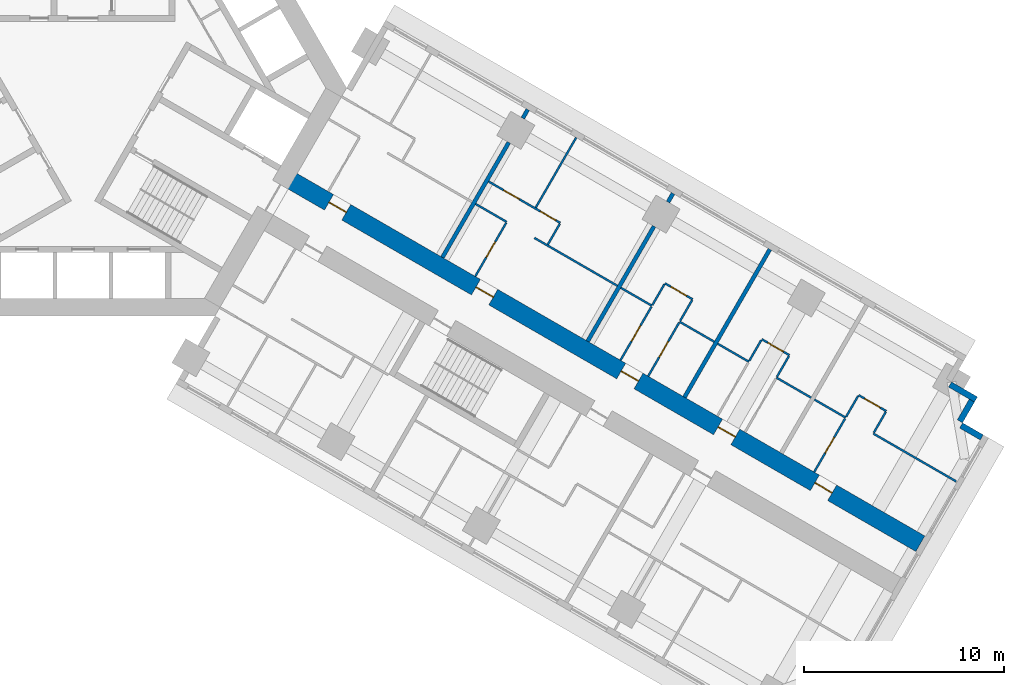
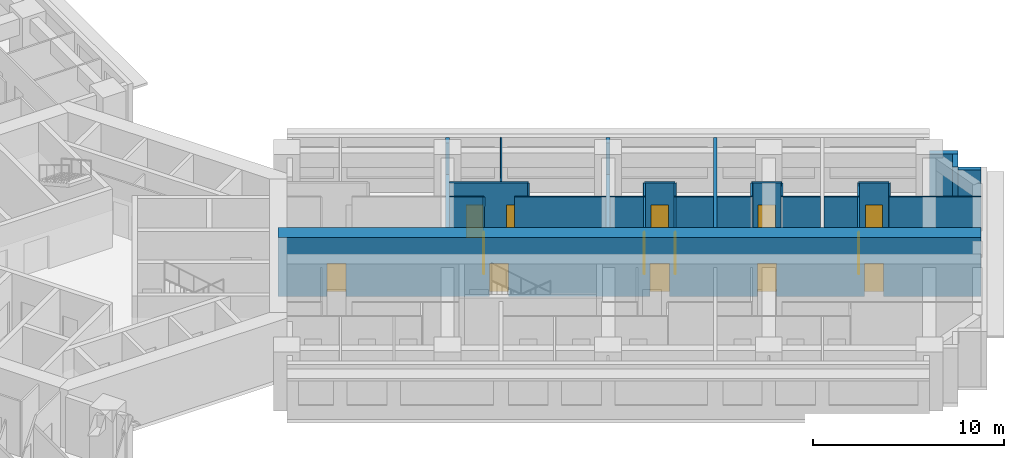
# One storey, part 12 of 16: 33 walls, 14 doors, 14 openings.
"""IFC4 building model written with IfcOpenShell, lengths in metres."""

from ifc_helpers import new_model, si_unit, direction, frame, frame_2d, origin, place, context, subcontext, project, spatial, rectangle, extrude, material, layer, layer_set, type_object, element, fill, save


model = new_model("IFC4")

# Units and contexts
model_context = context("Model", 3, precision=1e-05, world=origin(), true_north=direction((0.0, 1.0)))
body_context = subcontext(model_context, "Body", "Model", "MODEL_VIEW")
ifc_project = project(units=[si_unit("LENGTHUNIT", "METRE"), si_unit("AREAUNIT", "SQUARE_METRE"), si_unit("VOLUMEUNIT", "CUBIC_METRE"), si_unit("PLANEANGLEUNIT", "RADIAN"), si_unit("MASSUNIT", "GRAM", prefix="KILO")], contexts=[model_context])

# Site, building, storey
site_placement = place(None, origin())
site = spatial("IfcSite", under=ifc_project, at=site_placement, CompositionType="ELEMENT")
building_placement = place(site_placement, origin())
building = spatial("IfcBuilding", under=site, at=building_placement, Name="Impinga Residences", CompositionType="ELEMENT")
storey_placement = place(building_placement, frame((0.0, 0.0, 71.0)))
storey = spatial("IfcBuildingStorey", under=building, at=storey_placement, Name="L17", CompositionType="ELEMENT", Elevation=71.0)

# Wall, openings, doors
ifc_material_1 = material(Name="Concrete C70/85", Category="concrete")
ifc_layer_1 = layer(ifc_material_1, 0.89990234375)
ifc_layer_set_1 = layer_set([ifc_layer_1], Name="Concrete C70/85")
wall_type_1 = type_object("IfcWallType", Name="BW1 corridor buttress wall, L05 to L22 900", PredefinedType="SHEAR", material=ifc_layer_set_1)
wall_1_placement = place(storey_placement, frame((10.1103515625, -4.451416015625, 0.0), z_axis=(0.0, 0.0, 1.0), x_axis=(0.866025284237, -0.500000207062, 0.0)))
wall_1 = element("IfcWall", 1, at=wall_1_placement, inside=storey, type_object=wall_type_1, Name="Corridor wall BW1 EC L17", PredefinedType="SHEAR", context=body_context, shape_type="SweptSolid", body=[
    extrude(rectangle(XDim=36.75, YDim=0.89990234375, at=frame_2d((18.375, 0.0))), origin(), (0.0, 0.0, 1.0), 3.75),
])
opening_1_placement = place(wall_1_placement, frame((2.550048828125, 0.0, 0.0)))
opening_1 = element("IfcOpeningElement", 2, at=opening_1_placement, cuts=wall_1, Name="Opening D1", PredefinedType="OPENING", context=body_context, shape_type="SweptSolid", body=[
    extrude(rectangle(XDim=1.0, YDim=2.10009765625, at=frame_2d((0.5, 1.050048828125))), frame((0.0, 0.4599609375, 0.0), z_axis=(0.0, -1.0, 0.0), x_axis=(1.0, 0.0, 0.0)), (0.0, 0.0, 1.0), 0.919921875),
])
opening_2_placement = place(wall_1_placement, frame((11.050048828125, 0.0, 0.0)))
opening_2 = element("IfcOpeningElement", 3, at=opening_2_placement, cuts=wall_1, Name="Opening D1", PredefinedType="OPENING", context=body_context, shape_type="SweptSolid", body=[
    extrude(rectangle(XDim=1.0, YDim=2.10009765625, at=frame_2d((0.5, 1.050048828125))), frame((0.0, 0.4599609375, 0.0), z_axis=(0.0, -1.0, 0.0), x_axis=(1.0, 0.0, 0.0)), (0.0, 0.0, 1.0), 0.919921875),
])
opening_3_placement = place(wall_1_placement, frame((19.449951171875, 0.0, 0.0)))
opening_3 = element("IfcOpeningElement", 4, at=opening_3_placement, cuts=wall_1, Name="Opening D1", PredefinedType="OPENING", context=body_context, shape_type="SweptSolid", body=[
    extrude(rectangle(XDim=1.0, YDim=2.10009765625, at=frame_2d((0.5, 1.050048828125))), frame((0.0, 0.4599609375, 0.0), z_axis=(0.0, -1.0, 0.0), x_axis=(1.0, 0.0, 0.0)), (0.0, 0.0, 1.0), 0.919921875),
])
opening_4_placement = place(wall_1_placement, frame((25.050048828125, 0.0, 0.0)))
opening_4 = element("IfcOpeningElement", 5, at=opening_4_placement, cuts=wall_1, Name="Opening D1", PredefinedType="OPENING", context=body_context, shape_type="SweptSolid", body=[
    extrude(rectangle(XDim=1.0, YDim=2.10009765625, at=frame_2d((0.5, 1.050048828125))), frame((0.0, 0.4599609375, 0.0), z_axis=(0.0, -1.0, 0.0), x_axis=(1.0, 0.0, 0.0)), (0.0, 0.0, 1.0), 0.919921875),
])
opening_5_placement = place(wall_1_placement, frame((30.64990234375, 0.0, 0.0)))
opening_5 = element("IfcOpeningElement", 6, at=opening_5_placement, cuts=wall_1, Name="Opening D1", PredefinedType="OPENING", context=body_context, shape_type="SweptSolid", body=[
    extrude(rectangle(XDim=1.0, YDim=2.10009765625, at=frame_2d((0.5, 1.050048828125))), frame((0.0, 0.4599609375, 0.0), z_axis=(0.0, -1.0, 0.0), x_axis=(1.0, 0.0, 0.0)), (0.0, 0.0, 1.0), 0.919921875),
])
ifc_material_2 = material(Name="Timber door set", Category="wood")
door_type_1 = type_object("IfcDoorType", Name="D1 apartment entrance door 1000x2100", OperationType="SINGLE_SWING_LEFT", PredefinedType="DOOR", material=ifc_material_2)
door_1_placement = place(opening_1_placement, origin())
door_1 = element("IfcDoor", 7, at=door_1_placement, inside=storey, type_object=door_type_1, Name="Apartment L17-EA1 entrance", OperationType="SINGLE_SWING_LEFT", OverallHeight=2.10009765625, OverallWidth=1.0, PredefinedType="DOOR", context=body_context, shape_type="SweptSolid", body=[
    extrude(rectangle(XDim=1.0, YDim=2.10009765625, at=frame_2d((0.5, 1.050048828125))), frame((0.0, 0.02490234375, 0.0), z_axis=(0.0, -1.0, 0.0), x_axis=(1.0, 0.0, 0.0)), (0.0, 0.0, 1.0), 0.050048828125),
])
fill(opening_1, door_1)
door_2_placement = place(opening_2_placement, origin())
door_2 = element("IfcDoor", 8, at=door_2_placement, inside=storey, type_object=door_type_1, Name="Apartment L17-EA2 entrance", OperationType="SINGLE_SWING_LEFT", OverallHeight=2.10009765625, OverallWidth=1.0, PredefinedType="DOOR", context=body_context, shape_type="SweptSolid", body=[
    extrude(rectangle(XDim=1.0, YDim=2.10009765625, at=frame_2d((0.5, 1.050048828125))), frame((0.0, 0.02490234375, 0.0), z_axis=(0.0, -1.0, 0.0), x_axis=(1.0, 0.0, 0.0)), (0.0, 0.0, 1.0), 0.050048828125),
])
fill(opening_2, door_2)
door_3_placement = place(opening_3_placement, origin())
door_3 = element("IfcDoor", 9, at=door_3_placement, inside=storey, type_object=door_type_1, Name="Apartment L17-EA3 entrance", OperationType="SINGLE_SWING_RIGHT", OverallHeight=2.10009765625, OverallWidth=1.0, PredefinedType="DOOR", context=body_context, shape_type="SweptSolid", body=[
    extrude(rectangle(XDim=1.0, YDim=2.10009765625, at=frame_2d((0.5, 1.050048828125))), frame((0.0, 0.02490234375, 0.0), z_axis=(0.0, -1.0, 0.0), x_axis=(1.0, 0.0, 0.0)), (0.0, 0.0, 1.0), 0.050048828125),
])
fill(opening_3, door_3)
door_4_placement = place(opening_4_placement, origin())
door_4 = element("IfcDoor", 10, at=door_4_placement, inside=storey, type_object=door_type_1, Name="Apartment L17-EA4 entrance", OperationType="SINGLE_SWING_RIGHT", OverallHeight=2.10009765625, OverallWidth=1.0, PredefinedType="DOOR", context=body_context, shape_type="SweptSolid", body=[
    extrude(rectangle(XDim=1.0, YDim=2.10009765625, at=frame_2d((0.5, 1.050048828125))), frame((0.0, 0.02490234375, 0.0), z_axis=(0.0, -1.0, 0.0), x_axis=(1.0, 0.0, 0.0)), (0.0, 0.0, 1.0), 0.050048828125),
])
fill(opening_4, door_4)
door_5_placement = place(opening_5_placement, origin())
door_5 = element("IfcDoor", 11, at=door_5_placement, inside=storey, type_object=door_type_1, Name="Apartment L17-EA5 entrance", OperationType="SINGLE_SWING_RIGHT", OverallHeight=2.10009765625, OverallWidth=1.0, PredefinedType="DOOR", context=body_context, shape_type="SweptSolid", body=[
    extrude(rectangle(XDim=1.0, YDim=2.10009765625, at=frame_2d((0.5, 1.050048828125))), frame((0.0, 0.02490234375, 0.0), z_axis=(0.0, -1.0, 0.0), x_axis=(1.0, 0.0, 0.0)), (0.0, 0.0, 1.0), 0.050048828125),
])
fill(opening_5, door_5)

# Walls
ifc_material_3 = material(Name="Terracotta rainscreen on blockwork", Category="masonry")
ifc_layer_2 = layer(ifc_material_3, 0.300048828125)
ifc_layer_set_2 = layer_set([ifc_layer_2], Name="EW1 external wall, terracotta rainscreen on blockwork 300")
wall_type_2 = type_object("IfcWallType", Name="EW1 external wall, terracotta rainscreen on blockwork 300", PredefinedType="SOLIDWALL", material=ifc_layer_set_2)
wall_2_placement = place(storey_placement, frame((43.42333984375, -14.8515625, 0.0), z_axis=(0.0, 0.0, 1.0), x_axis=(0.866031096941, -0.499990139034, 0.0)))
element("IfcWall", 12, at=wall_2_placement, inside=storey, type_object=wall_type_2, Name="External wall EW1 L17", PredefinedType="SOLIDWALL", context=body_context, shape_type="SweptSolid", body=[
    extrude(rectangle(XDim=1.5, YDim=0.300048828125, at=frame_2d((0.75, 0.0))), origin(), (0.0, 0.0, 1.0), 3.530029296875),
])
wall_3_placement = place(storey_placement, frame((44.517578125, -15.65625, 0.0), z_axis=(0.0, 0.0, 1.0), x_axis=(-0.500033551112, -0.866006032174, 0.0)))
element("IfcWall", 13, at=wall_3_placement, inside=storey, type_object=wall_type_2, Name="External wall EW1 L17", PredefinedType="SOLIDWALL", context=body_context, shape_type="SweptSolid", body=[
    extrude(rectangle(XDim=1.2001953125, YDim=0.300048828125, at=frame_2d((0.60009765625, 0.0))), origin(), (0.0, 0.0, 1.0), 3.530029296875),
])
wall_4_placement = place(storey_placement, frame((43.976806640625, -16.903076171875, 0.0), z_axis=(0.0, 0.0, 1.0), x_axis=(0.866059708757, -0.499940577336, 0.0)))
element("IfcWall", 14, at=wall_4_placement, inside=storey, type_object=wall_type_2, Name="External wall EW1 L17", PredefinedType="SOLIDWALL", context=body_context, shape_type="SweptSolid", body=[
    extrude(rectangle(XDim=1.195068359375, YDim=0.300048828125, at=frame_2d((0.59765625, 0.0))), origin(), (0.0, 0.0, 1.0), 3.530029296875),
])
ifc_material_4 = material(Name="Gypsum board on steel studs", Category="steel")
ifc_layer_3 = layer(ifc_material_4, 0.10009765625)
ifc_layer_set_3 = layer_set([ifc_layer_3], Name="Gypsum board on steel studs")
wall_type_3 = type_object("IfcWallType", Name="IP1 partition 100", PredefinedType="PARTITIONING", material=ifc_layer_set_3)
wall_5_placement = place(storey_placement, frame((19.6611328125, -5.808837890625, 0.0), z_axis=(0.0, 0.0, 1.0), x_axis=(0.866047807691, -0.499961193289, 0.0)))
element("IfcWall", 15, at=wall_5_placement, inside=storey, type_object=wall_type_3, Name="Partition L17-EA2:DIV0", PredefinedType="PARTITIONING", context=body_context, shape_type="SweptSolid", body=[
    extrude(rectangle(XDim=1.800048828125, YDim=0.10009765625, at=frame_2d((0.89990234375, 0.0))), origin(), (0.0, 0.0, 1.0), 3.530029296875),
])
wall_6_placement = place(storey_placement, frame((22.605712890625, -7.5087890625, 0.0), z_axis=(0.0, 0.0, 1.0), x_axis=(0.866015339567, -0.500017431331, 0.0)))
element("IfcWall", 16, at=wall_6_placement, inside=storey, type_object=wall_type_3, Name="Partition L17-EA2:DIV1", PredefinedType="PARTITIONING", context=body_context, shape_type="SweptSolid", body=[
    extrude(rectangle(XDim=4.800048828125, YDim=0.10009765625, at=frame_2d((2.39990234375, 0.0))), origin(), (0.0, 0.0, 1.0), 3.530029296875),
])

# Wall, openings, doors
wall_7_placement = place(storey_placement, frame((20.311279296875, -4.68310546875, 0.0), z_axis=(0.0, 0.0, 1.0), x_axis=(0.86602981871, -0.499992353047, 0.0)))
wall_7 = element("IfcWall", 17, at=wall_7_placement, inside=storey, type_object=wall_type_3, Name="Partition L17-EA2:STRIP", PredefinedType="PARTITIONING", context=body_context, shape_type="SweptSolid", body=[
    extrude(rectangle(XDim=4.14990234375, YDim=0.10009765625, at=frame_2d((2.074951171875, 0.0))), origin(), (0.0, 0.0, 1.0), 3.530029296875),
])
opening_6_placement = place(wall_7_placement, frame((0.875, 0.0, 0.0)))
opening_6 = element("IfcOpeningElement", 18, at=opening_6_placement, cuts=wall_7, Name="Opening D2", PredefinedType="OPENING", context=body_context, shape_type="SweptSolid", body=[
    extrude(rectangle(XDim=0.89990234375, YDim=2.10009765625, at=frame_2d((0.449951171875, 1.050048828125))), frame((0.0, 0.06005859375, 0.0), z_axis=(0.0, -1.0, 0.0), x_axis=(1.0, 0.0, 0.0)), (0.0, 0.0, 1.0), 0.1201171875),
])
opening_7_placement = place(wall_7_placement, frame((3.0, 0.0, 0.0)))
opening_7 = element("IfcOpeningElement", 19, at=opening_7_placement, cuts=wall_7, Name="Opening D2", PredefinedType="OPENING", context=body_context, shape_type="SweptSolid", body=[
    extrude(rectangle(XDim=0.89990234375, YDim=2.10009765625, at=frame_2d((0.449951171875, 1.050048828125))), frame((0.0, 0.06005859375, 0.0), z_axis=(0.0, -1.0, 0.0), x_axis=(1.0, 0.0, 0.0)), (0.0, 0.0, 1.0), 0.1201171875),
])
door_type_2 = type_object("IfcDoorType", Name="D2 internal door 900x2100", OperationType="SINGLE_SWING_LEFT", PredefinedType="DOOR", material=ifc_material_2)
door_6_placement = place(opening_6_placement, origin())
door_6 = element("IfcDoor", 20, at=door_6_placement, inside=storey, type_object=door_type_2, Name="Apartment L17-EA2 room door", OperationType="SINGLE_SWING_LEFT", OverallHeight=2.10009765625, OverallWidth=0.89990234375, PredefinedType="DOOR", context=body_context, shape_type="SweptSolid", body=[
    extrude(rectangle(XDim=0.89990234375, YDim=2.10009765625, at=frame_2d((0.449951171875, 1.050048828125))), frame((0.0, 0.02490234375, 0.0), z_axis=(0.0, -1.0, 0.0), x_axis=(1.0, 0.0, 0.0)), (0.0, 0.0, 1.0), 0.050048828125),
])
fill(opening_6, door_6)
door_7_placement = place(opening_7_placement, origin())
door_7 = element("IfcDoor", 21, at=door_7_placement, inside=storey, type_object=door_type_2, Name="Apartment L17-EA2 room door", OperationType="SINGLE_SWING_RIGHT", OverallHeight=2.10009765625, OverallWidth=0.89990234375, PredefinedType="DOOR", context=body_context, shape_type="SweptSolid", body=[
    extrude(rectangle(XDim=0.89990234375, YDim=2.10009765625, at=frame_2d((0.449951171875, 1.050048828125))), frame((0.0, 0.02490234375, 0.0), z_axis=(0.0, -1.0, 0.0), x_axis=(1.0, 0.0, 0.0)), (0.0, 0.0, 1.0), 0.050048828125),
])
fill(opening_7, door_7)

# Wall
wall_8_placement = place(storey_placement, frame((23.2802734375, -7.840576171875, 0.0), z_axis=(0.0, 0.0, 1.0), x_axis=(0.499880961361, 0.866094119867, 0.0)))
element("IfcWall", 22, at=wall_8_placement, inside=storey, type_object=wall_type_3, Name="Partition L17-EA2:SE1", PredefinedType="PARTITIONING", context=body_context, shape_type="SweptSolid", body=[
    extrude(rectangle(XDim=1.199951171875, YDim=0.10009765625, at=frame_2d((0.60009765625, 0.0))), origin(), (0.0, 0.0, 1.0), 3.530029296875),
])

# Wall, opening, door
wall_9_placement = place(storey_placement, frame((19.64501953125, -9.436767578125, 0.0), z_axis=(0.0, 0.0, 1.0), x_axis=(0.500026960575, 0.86600983753, 0.0)))
wall_9 = element("IfcWall", 23, at=wall_9_placement, inside=storey, type_object=wall_type_3, Name="Partition L17-EA2:IB1", PredefinedType="PARTITIONING", context=body_context, shape_type="SweptSolid", body=[
    extrude(rectangle(XDim=3.099853515625, YDim=0.10009765625, at=frame_2d((1.5498046875, 0.0))), origin(), (0.0, 0.0, 1.0), 3.530029296875),
])
opening_8_placement = place(wall_9_placement, frame((1.10009765625, 0.0, 0.0)))
opening_8 = element("IfcOpeningElement", 24, at=opening_8_placement, cuts=wall_9, Name="Opening D2", PredefinedType="OPENING", context=body_context, shape_type="SweptSolid", body=[
    extrude(rectangle(XDim=0.89990234375, YDim=2.10009765625, at=frame_2d((0.449951171875, 1.050048828125))), frame((0.0, 0.06005859375, 0.0), z_axis=(0.0, -1.0, 0.0), x_axis=(1.0, 0.0, 0.0)), (0.0, 0.0, 1.0), 0.1201171875),
])
door_8_placement = place(opening_8_placement, origin())
door_8 = element("IfcDoor", 25, at=door_8_placement, inside=storey, type_object=door_type_2, Name="Apartment L17-EA2 bathroom door", OperationType="SINGLE_SWING_LEFT", OverallHeight=2.10009765625, OverallWidth=0.89990234375, PredefinedType="DOOR", context=body_context, shape_type="SweptSolid", body=[
    extrude(rectangle(XDim=0.89990234375, YDim=2.10009765625, at=frame_2d((0.449951171875, 1.050048828125))), frame((0.0, 0.02490234375, 0.0), z_axis=(0.0, -1.0, 0.0), x_axis=(1.0, 0.0, 0.0)), (0.0, 0.0, 1.0), 0.050048828125),
])
fill(opening_8, door_8)

# Walls
wall_10_placement = place(storey_placement, frame((22.674560546875, -5.98974609375, 0.0), z_axis=(0.0, 0.0, 1.0), x_axis=(0.499990325971, 0.866030989016, 0.0)))
element("IfcWall", 26, at=wall_10_placement, inside=storey, type_object=wall_type_3, Name="Partition L17-EA2:OB1", PredefinedType="PARTITIONING", context=body_context, shape_type="SweptSolid", body=[
    extrude(rectangle(XDim=4.0498046875, YDim=0.10009765625, at=frame_2d((2.02490234375, 0.0))), origin(), (0.0, 0.0, 1.0), 3.530029296875),
])
wall_11_placement = place(storey_placement, frame((26.935791015625, -10.0087890625, 0.0), z_axis=(0.0, 0.0, 1.0), x_axis=(0.865989075817, -0.500062916607, 0.0)))
element("IfcWall", 27, at=wall_11_placement, inside=storey, type_object=wall_type_3, Name="Partition L17-EA3:DIV0", PredefinedType="PARTITIONING", context=body_context, shape_type="SweptSolid", body=[
    extrude(rectangle(XDim=1.800048828125, YDim=0.10009765625, at=frame_2d((0.89990234375, 0.0))), origin(), (0.0, 0.0, 1.0), 3.530029296875),
])
wall_12_placement = place(storey_placement, frame((29.88037109375, -11.708740234375, 0.0), z_axis=(0.0, 0.0, 1.0), x_axis=(0.866010750942, -0.50002537861, 0.0)))
element("IfcWall", 28, at=wall_12_placement, inside=storey, type_object=wall_type_3, Name="Partition L17-EA3:DIV1", PredefinedType="PARTITIONING", context=body_context, shape_type="SweptSolid", body=[
    extrude(rectangle(XDim=2.0, YDim=0.10009765625, at=frame_2d((1.0, 0.0))), origin(), (0.0, 0.0, 1.0), 3.530029296875),
])

# Wall, opening, door
wall_13_placement = place(storey_placement, frame((29.144775390625, -9.782958984375, 0.0), z_axis=(0.0, 0.0, 1.0), x_axis=(0.865989903783, -0.500061482766, 0.0)))
wall_13 = element("IfcWall", 29, at=wall_13_placement, inside=storey, type_object=wall_type_3, Name="Partition L17-EA3:STRIP", PredefinedType="PARTITIONING", context=body_context, shape_type="SweptSolid", body=[
    extrude(rectangle(XDim=1.599853515625, YDim=0.10009765625, at=frame_2d((0.7998046875, 0.0))), origin(), (0.0, 0.0, 1.0), 3.530029296875),
])
opening_9_placement = place(wall_13_placement, frame((0.35009765625, 0.0, 0.0)))
opening_9 = element("IfcOpeningElement", 30, at=opening_9_placement, cuts=wall_13, Name="Opening D2", PredefinedType="OPENING", context=body_context, shape_type="SweptSolid", body=[
    extrude(rectangle(XDim=0.89990234375, YDim=2.10009765625, at=frame_2d((0.449951171875, 1.050048828125))), frame((0.0, 0.06005859375, 0.0), z_axis=(0.0, -1.0, 0.0), x_axis=(1.0, 0.0, 0.0)), (0.0, 0.0, 1.0), 0.1201171875),
])
door_9_placement = place(opening_9_placement, origin())
door_9 = element("IfcDoor", 31, at=door_9_placement, inside=storey, type_object=door_type_2, Name="Apartment L17-EA3 room door", OperationType="SINGLE_SWING_LEFT", OverallHeight=2.10009765625, OverallWidth=0.89990234375, PredefinedType="DOOR", context=body_context, shape_type="SweptSolid", body=[
    extrude(rectangle(XDim=0.89990234375, YDim=2.10009765625, at=frame_2d((0.449951171875, 1.050048828125))), frame((0.0, 0.02490234375, 0.0), z_axis=(0.0, -1.0, 0.0), x_axis=(1.0, 0.0, 0.0)), (0.0, 0.0, 1.0), 0.050048828125),
])
fill(opening_9, door_9)

# Walls
wall_14_placement = place(storey_placement, frame((28.519775390625, -10.865478515625, 0.0), z_axis=(0.0, 0.0, 1.0), x_axis=(0.499969057507, 0.866043267704, 0.0)))
element("IfcWall", 32, at=wall_14_placement, inside=storey, type_object=wall_type_3, Name="Partition L17-EA3:SE0", PredefinedType="PARTITIONING", context=body_context, shape_type="SweptSolid", body=[
    extrude(rectangle(XDim=1.19970703125, YDim=0.10009765625, at=frame_2d((0.599853515625, 0.0))), origin(), (0.0, 0.0, 1.0), 3.530029296875),
])
wall_15_placement = place(storey_placement, frame((29.9052734375, -11.66552734375, 0.0), z_axis=(0.0, 0.0, 1.0), x_axis=(0.500033551112, 0.866006032174, 0.0)))
element("IfcWall", 33, at=wall_15_placement, inside=storey, type_object=wall_type_3, Name="Partition L17-EA3:SE1", PredefinedType="PARTITIONING", context=body_context, shape_type="SweptSolid", body=[
    extrude(rectangle(XDim=1.2001953125, YDim=0.10009765625, at=frame_2d((0.60009765625, 0.0))), origin(), (0.0, 0.0, 1.0), 3.530029296875),
])

# Wall, opening, door
wall_16_placement = place(storey_placement, frame((26.919677734375, -13.63671875, 0.0), z_axis=(0.0, 0.0, 1.0), x_axis=(0.500026960575, 0.86600983753, 0.0)))
wall_16 = element("IfcWall", 34, at=wall_16_placement, inside=storey, type_object=wall_type_3, Name="Partition L17-EA3:IB1", PredefinedType="PARTITIONING", context=body_context, shape_type="SweptSolid", body=[
    extrude(rectangle(XDim=3.099853515625, YDim=0.10009765625, at=frame_2d((1.5498046875, 0.0))), origin(), (0.0, 0.0, 1.0), 3.530029296875),
])
opening_10_placement = place(wall_16_placement, frame((1.10009765625, 0.0, 0.0)))
opening_10 = element("IfcOpeningElement", 35, at=opening_10_placement, cuts=wall_16, Name="Opening D2", PredefinedType="OPENING", context=body_context, shape_type="SweptSolid", body=[
    extrude(rectangle(XDim=0.89990234375, YDim=2.10009765625, at=frame_2d((0.449951171875, 1.050048828125))), frame((0.0, 0.06005859375, 0.0), z_axis=(0.0, -1.0, 0.0), x_axis=(1.0, 0.0, 0.0)), (0.0, 0.0, 1.0), 0.1201171875),
])
door_10_placement = place(opening_10_placement, origin())
door_10 = element("IfcDoor", 36, at=door_10_placement, inside=storey, type_object=door_type_2, Name="Apartment L17-EA3 bathroom door", OperationType="SINGLE_SWING_LEFT", OverallHeight=2.10009765625, OverallWidth=0.89990234375, PredefinedType="DOOR", context=body_context, shape_type="SweptSolid", body=[
    extrude(rectangle(XDim=0.89990234375, YDim=2.10009765625, at=frame_2d((0.449951171875, 1.050048828125))), frame((0.0, 0.02490234375, 0.0), z_axis=(0.0, -1.0, 0.0), x_axis=(1.0, 0.0, 0.0)), (0.0, 0.0, 1.0), 0.050048828125),
])
fill(opening_10, door_10)

wall_17_placement = place(storey_placement, frame((28.305419921875, -14.436767578125, 0.0), z_axis=(0.0, 0.0, 1.0), x_axis=(0.499967891604, 0.866043940782, 0.0)))
wall_17 = element("IfcWall", 37, at=wall_17_placement, inside=storey, type_object=wall_type_3, Name="Partition L17-EA3:IB2", PredefinedType="PARTITIONING", context=body_context, shape_type="SweptSolid", body=[
    extrude(rectangle(XDim=3.099853515625, YDim=0.10009765625, at=frame_2d((1.5498046875, 0.0))), origin(), (0.0, 0.0, 1.0), 3.530029296875),
])
opening_11_placement = place(wall_17_placement, frame((1.10009765625, 0.0, 0.0)))
opening_11 = element("IfcOpeningElement", 38, at=opening_11_placement, cuts=wall_17, Name="Opening D2", PredefinedType="OPENING", context=body_context, shape_type="SweptSolid", body=[
    extrude(rectangle(XDim=0.89990234375, YDim=2.10009765625, at=frame_2d((0.449951171875, 1.050048828125))), frame((0.0, 0.06005859375, 0.0), z_axis=(0.0, -1.0, 0.0), x_axis=(1.0, 0.0, 0.0)), (0.0, 0.0, 1.0), 0.1201171875),
])
door_11_placement = place(opening_11_placement, origin())
door_11 = element("IfcDoor", 39, at=door_11_placement, inside=storey, type_object=door_type_2, Name="Apartment L17-EA3 WC door", OperationType="SINGLE_SWING_LEFT", OverallHeight=2.10009765625, OverallWidth=0.89990234375, PredefinedType="DOOR", context=body_context, shape_type="SweptSolid", body=[
    extrude(rectangle(XDim=0.89990234375, YDim=2.10009765625, at=frame_2d((0.449951171875, 1.050048828125))), frame((0.0, 0.02490234375, 0.0), z_axis=(0.0, -1.0, 0.0), x_axis=(1.0, 0.0, 0.0)), (0.0, 0.0, 1.0), 0.050048828125),
])
fill(opening_11, door_11)

# Walls
wall_18_placement = place(storey_placement, frame((31.78564453125, -12.808837890625, 0.0), z_axis=(0.0, 0.0, 1.0), x_axis=(0.866047807691, -0.499961193289, 0.0)))
element("IfcWall", 40, at=wall_18_placement, inside=storey, type_object=wall_type_3, Name="Partition L17-EA4:DIV0", PredefinedType="PARTITIONING", context=body_context, shape_type="SweptSolid", body=[
    extrude(rectangle(XDim=1.800048828125, YDim=0.10009765625, at=frame_2d((0.89990234375, 0.0))), origin(), (0.0, 0.0, 1.0), 3.530029296875),
])
wall_19_placement = place(storey_placement, frame((34.72998046875, -14.5087890625, 0.0), z_axis=(0.0, 0.0, 1.0), x_axis=(0.866041268327, -0.499972520799, 0.0)))
element("IfcWall", 41, at=wall_19_placement, inside=storey, type_object=wall_type_3, Name="Partition L17-EA4:DIV1", PredefinedType="PARTITIONING", context=body_context, shape_type="SweptSolid", body=[
    extrude(rectangle(XDim=2.0, YDim=0.10009765625, at=frame_2d((1.0, 0.0))), origin(), (0.0, 0.0, 1.0), 3.530029296875),
])

# Wall, opening, door
wall_20_placement = place(storey_placement, frame((33.994384765625, -12.5830078125, 0.0), z_axis=(0.0, 0.0, 1.0), x_axis=(0.866028054938, -0.499995408039, 0.0)))
wall_20 = element("IfcWall", 42, at=wall_20_placement, inside=storey, type_object=wall_type_3, Name="Partition L17-EA4:STRIP", PredefinedType="PARTITIONING", context=body_context, shape_type="SweptSolid", body=[
    extrude(rectangle(XDim=1.60009765625, YDim=0.10009765625, at=frame_2d((0.800048828125, 0.0))), origin(), (0.0, 0.0, 1.0), 3.530029296875),
])
opening_12_placement = place(wall_20_placement, frame((0.35009765625, 0.0, 0.0)))
opening_12 = element("IfcOpeningElement", 43, at=opening_12_placement, cuts=wall_20, Name="Opening D2", PredefinedType="OPENING", context=body_context, shape_type="SweptSolid", body=[
    extrude(rectangle(XDim=0.89990234375, YDim=2.10009765625, at=frame_2d((0.449951171875, 1.050048828125))), frame((0.0, 0.06005859375, 0.0), z_axis=(0.0, -1.0, 0.0), x_axis=(1.0, 0.0, 0.0)), (0.0, 0.0, 1.0), 0.1201171875),
])
door_12_placement = place(opening_12_placement, origin())
door_12 = element("IfcDoor", 44, at=door_12_placement, inside=storey, type_object=door_type_2, Name="Apartment L17-EA4 room door", OperationType="SINGLE_SWING_LEFT", OverallHeight=2.10009765625, OverallWidth=0.89990234375, PredefinedType="DOOR", context=body_context, shape_type="SweptSolid", body=[
    extrude(rectangle(XDim=0.89990234375, YDim=2.10009765625, at=frame_2d((0.449951171875, 1.050048828125))), frame((0.0, 0.02490234375, 0.0), z_axis=(0.0, -1.0, 0.0), x_axis=(1.0, 0.0, 0.0)), (0.0, 0.0, 1.0), 0.050048828125),
])
fill(opening_12, door_12)

# Walls
wall_21_placement = place(storey_placement, frame((33.369384765625, -13.66552734375, 0.0), z_axis=(0.0, 0.0, 1.0), x_axis=(0.500033551112, 0.866006032174, 0.0)))
element("IfcWall", 45, at=wall_21_placement, inside=storey, type_object=wall_type_3, Name="Partition L17-EA4:SE0", PredefinedType="PARTITIONING", context=body_context, shape_type="SweptSolid", body=[
    extrude(rectangle(XDim=1.2001953125, YDim=0.10009765625, at=frame_2d((0.60009765625, 0.0))), origin(), (0.0, 0.0, 1.0), 3.530029296875),
])
wall_22_placement = place(storey_placement, frame((34.755126953125, -14.465576171875, 0.0), z_axis=(0.0, 0.0, 1.0), x_axis=(0.499880961361, 0.866094119867, 0.0)))
element("IfcWall", 46, at=wall_22_placement, inside=storey, type_object=wall_type_3, Name="Partition L17-EA4:SE1", PredefinedType="PARTITIONING", context=body_context, shape_type="SweptSolid", body=[
    extrude(rectangle(XDim=1.199951171875, YDim=0.10009765625, at=frame_2d((0.60009765625, 0.0))), origin(), (0.0, 0.0, 1.0), 3.530029296875),
])
wall_23_placement = place(storey_placement, frame((36.63525390625, -15.60888671875, 0.0), z_axis=(0.0, 0.0, 1.0), x_axis=(0.866047807691, -0.499961193289, 0.0)))
element("IfcWall", 47, at=wall_23_placement, inside=storey, type_object=wall_type_3, Name="Partition L17-EA5:DIV0", PredefinedType="PARTITIONING", context=body_context, shape_type="SweptSolid", body=[
    extrude(rectangle(XDim=1.800048828125, YDim=0.10009765625, at=frame_2d((0.89990234375, 0.0))), origin(), (0.0, 0.0, 1.0), 3.530029296875),
])
wall_24_placement = place(storey_placement, frame((39.579833984375, -17.308837890625, 0.0), z_axis=(0.0, 0.0, 1.0), x_axis=(0.866037363387, -0.499979284789, 0.0)))
element("IfcWall", 48, at=wall_24_placement, inside=storey, type_object=wall_type_3, Name="Partition L17-EA5:DIV1", PredefinedType="PARTITIONING", context=body_context, shape_type="SweptSolid", body=[
    extrude(rectangle(XDim=4.800048828125, YDim=0.10009765625, at=frame_2d((2.39990234375, 0.0))), origin(), (0.0, 0.0, 1.0), 3.530029296875),
])

# Wall, opening, door
wall_25_placement = place(storey_placement, frame((38.84423828125, -15.383056640625, 0.0), z_axis=(0.0, 0.0, 1.0), x_axis=(0.865989903783, -0.500061482766, 0.0)))
wall_25 = element("IfcWall", 49, at=wall_25_placement, inside=storey, type_object=wall_type_3, Name="Partition L17-EA5:STRIP", PredefinedType="PARTITIONING", context=body_context, shape_type="SweptSolid", body=[
    extrude(rectangle(XDim=1.599853515625, YDim=0.10009765625, at=frame_2d((0.7998046875, 0.0))), origin(), (0.0, 0.0, 1.0), 3.530029296875),
])
opening_13_placement = place(wall_25_placement, frame((0.35009765625, 0.0, 0.0)))
opening_13 = element("IfcOpeningElement", 50, at=opening_13_placement, cuts=wall_25, Name="Opening D2", PredefinedType="OPENING", context=body_context, shape_type="SweptSolid", body=[
    extrude(rectangle(XDim=0.89990234375, YDim=2.10009765625, at=frame_2d((0.449951171875, 1.050048828125))), frame((0.0, 0.06005859375, 0.0), z_axis=(0.0, -1.0, 0.0), x_axis=(1.0, 0.0, 0.0)), (0.0, 0.0, 1.0), 0.1201171875),
])
door_13_placement = place(opening_13_placement, origin())
door_13 = element("IfcDoor", 51, at=door_13_placement, inside=storey, type_object=door_type_2, Name="Apartment L17-EA5 room door", OperationType="SINGLE_SWING_LEFT", OverallHeight=2.10009765625, OverallWidth=0.89990234375, PredefinedType="DOOR", context=body_context, shape_type="SweptSolid", body=[
    extrude(rectangle(XDim=0.89990234375, YDim=2.10009765625, at=frame_2d((0.449951171875, 1.050048828125))), frame((0.0, 0.02490234375, 0.0), z_axis=(0.0, -1.0, 0.0), x_axis=(1.0, 0.0, 0.0)), (0.0, 0.0, 1.0), 0.050048828125),
])
fill(opening_13, door_13)

# Walls
wall_26_placement = place(storey_placement, frame((38.21923828125, -16.465576171875, 0.0), z_axis=(0.0, 0.0, 1.0), x_axis=(0.499880961361, 0.866094119867, 0.0)))
element("IfcWall", 52, at=wall_26_placement, inside=storey, type_object=wall_type_3, Name="Partition L17-EA5:SE0", PredefinedType="PARTITIONING", context=body_context, shape_type="SweptSolid", body=[
    extrude(rectangle(XDim=1.199951171875, YDim=0.10009765625, at=frame_2d((0.60009765625, 0.0))), origin(), (0.0, 0.0, 1.0), 3.530029296875),
])
wall_27_placement = place(storey_placement, frame((39.604736328125, -17.265625, 0.0), z_axis=(0.0, 0.0, 1.0), x_axis=(0.500033551112, 0.866006032174, 0.0)))
element("IfcWall", 53, at=wall_27_placement, inside=storey, type_object=wall_type_3, Name="Partition L17-EA5:SE1", PredefinedType="PARTITIONING", context=body_context, shape_type="SweptSolid", body=[
    extrude(rectangle(XDim=1.2001953125, YDim=0.10009765625, at=frame_2d((0.60009765625, 0.0))), origin(), (0.0, 0.0, 1.0), 3.530029296875),
])

# Wall, opening, door
wall_28_placement = place(storey_placement, frame((36.619140625, -19.23681640625, 0.0), z_axis=(0.0, 0.0, 1.0), x_axis=(0.500026960575, 0.86600983753, 0.0)))
wall_28 = element("IfcWall", 54, at=wall_28_placement, inside=storey, type_object=wall_type_3, Name="Partition L17-EA5:IB1", PredefinedType="PARTITIONING", context=body_context, shape_type="SweptSolid", body=[
    extrude(rectangle(XDim=3.099853515625, YDim=0.10009765625, at=frame_2d((1.5498046875, 0.0))), origin(), (0.0, 0.0, 1.0), 3.530029296875),
])
opening_14_placement = place(wall_28_placement, frame((1.10009765625, 0.0, 0.0)))
opening_14 = element("IfcOpeningElement", 55, at=opening_14_placement, cuts=wall_28, Name="Opening D2", PredefinedType="OPENING", context=body_context, shape_type="SweptSolid", body=[
    extrude(rectangle(XDim=0.89990234375, YDim=2.10009765625, at=frame_2d((0.449951171875, 1.050048828125))), frame((0.0, 0.06005859375, 0.0), z_axis=(0.0, -1.0, 0.0), x_axis=(1.0, 0.0, 0.0)), (0.0, 0.0, 1.0), 0.1201171875),
])
door_14_placement = place(opening_14_placement, origin())
door_14 = element("IfcDoor", 56, at=door_14_placement, inside=storey, type_object=door_type_2, Name="Apartment L17-EA5 bathroom door", OperationType="SINGLE_SWING_LEFT", OverallHeight=2.10009765625, OverallWidth=0.89990234375, PredefinedType="DOOR", context=body_context, shape_type="SweptSolid", body=[
    extrude(rectangle(XDim=0.89990234375, YDim=2.10009765625, at=frame_2d((0.449951171875, 1.050048828125))), frame((0.0, 0.02490234375, 0.0), z_axis=(0.0, -1.0, 0.0), x_axis=(1.0, 0.0, 0.0)), (0.0, 0.0, 1.0), 0.050048828125),
])
fill(opening_14, door_14)

# Walls
ifc_material_5 = material(Name="Concrete blockwork", Category="masonry")
ifc_layer_4 = layer(ifc_material_5, 0.199951171875)
ifc_layer_set_4 = layer_set([ifc_layer_4], Name="PW1 party wall between apartments 200")
wall_type_4 = type_object("IfcWallType", Name="PW1 party wall between apartments 200", PredefinedType="SOLIDWALL", material=ifc_layer_set_4)
wall_29_placement = place(storey_placement, frame((17.99951171875, -8.48681640625, 0.0), z_axis=(0.0, 0.0, 1.0), x_axis=(0.500024353964, 0.86601134256, 0.0)))
element("IfcWall", 57, at=wall_29_placement, inside=storey, type_object=wall_type_4, Name="Party wall between apartments L17-EA1:PARTY", PredefinedType="SOLIDWALL", context=body_context, shape_type="SweptSolid", body=[
    extrude(rectangle(XDim=6.650146484375, YDim=0.199951171875, at=frame_2d((3.3251953125, 0.0))), origin(), (0.0, 0.0, 1.0), 2.47998046875),
])
wall_30_placement = place(storey_placement, frame((22.024658203125, -1.515380859375, 0.0), z_axis=(0.0, 0.0, 1.0), x_axis=(0.499919672301, 0.866071776036, 0.0)))
element("IfcWall", 58, at=wall_30_placement, inside=storey, type_object=wall_type_4, Name="Party wall between apartments L17-EA1:PARTYb", PredefinedType="SOLIDWALL", context=body_context, shape_type="SweptSolid", body=[
    extrude(rectangle(XDim=0.5, YDim=0.199951171875, at=frame_2d((0.25, 0.0))), origin(), (0.0, 0.0, 1.0), 3.530029296875),
])
wall_31_placement = place(storey_placement, frame((25.274169921875, -12.686767578125, 0.0), z_axis=(0.0, 0.0, 1.0), x_axis=(0.49999681972, 0.866027239912, 0.0)))
element("IfcWall", 59, at=wall_31_placement, inside=storey, type_object=wall_type_4, Name="Party wall between apartments L17-EA2:PARTY", PredefinedType="SOLIDWALL", context=body_context, shape_type="SweptSolid", body=[
    extrude(rectangle(XDim=6.64990234375, YDim=0.199951171875, at=frame_2d((3.324951171875, 0.0))), origin(), (0.0, 0.0, 1.0), 2.47998046875),
])
wall_32_placement = place(storey_placement, frame((29.29931640625, -5.71533203125, 0.0), z_axis=(0.0, 0.0, 1.0), x_axis=(0.499919672301, 0.866071776036, 0.0)))
element("IfcWall", 60, at=wall_32_placement, inside=storey, type_object=wall_type_4, Name="Party wall between apartments L17-EA2:PARTYb", PredefinedType="SOLIDWALL", context=body_context, shape_type="SweptSolid", body=[
    extrude(rectangle(XDim=0.5, YDim=0.199951171875, at=frame_2d((0.25, 0.0))), origin(), (0.0, 0.0, 1.0), 3.530029296875),
])
wall_33_placement = place(storey_placement, frame((30.1240234375, -15.48681640625, 0.0), z_axis=(0.0, 0.0, 1.0), x_axis=(0.499990227581, 0.86603104582, 0.0)))
element("IfcWall", 61, at=wall_33_placement, inside=storey, type_object=wall_type_4, Name="Party wall between apartments L17-EA3:PARTY", PredefinedType="SOLIDWALL", context=body_context, shape_type="SweptSolid", body=[
    extrude(rectangle(XDim=8.550048828125, YDim=0.199951171875, at=frame_2d((4.27490234375, 0.0))), origin(), (0.0, 0.0, 1.0), 3.530029296875),
])

save(model, "model.ifc")
